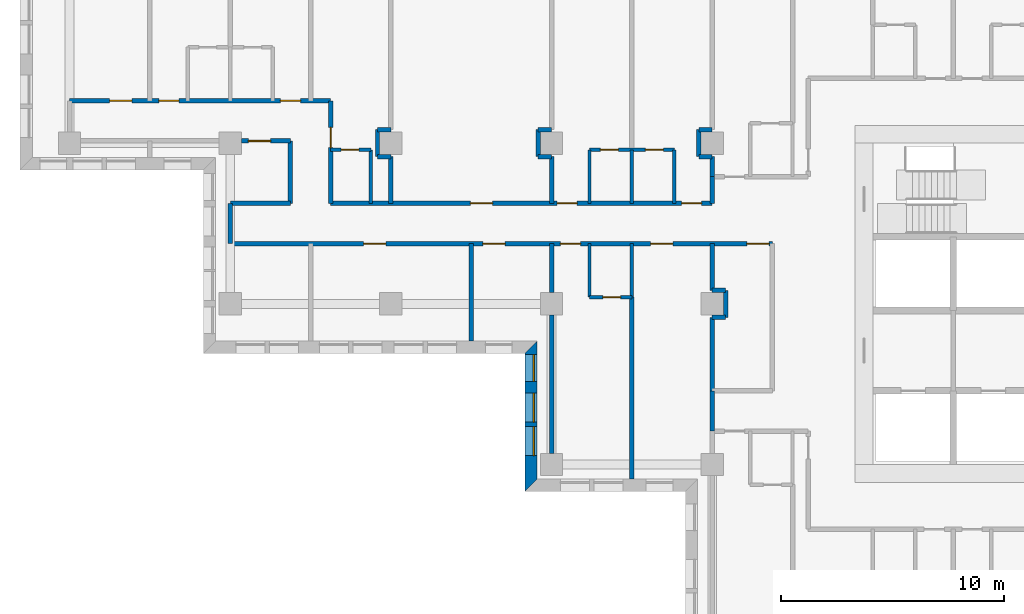
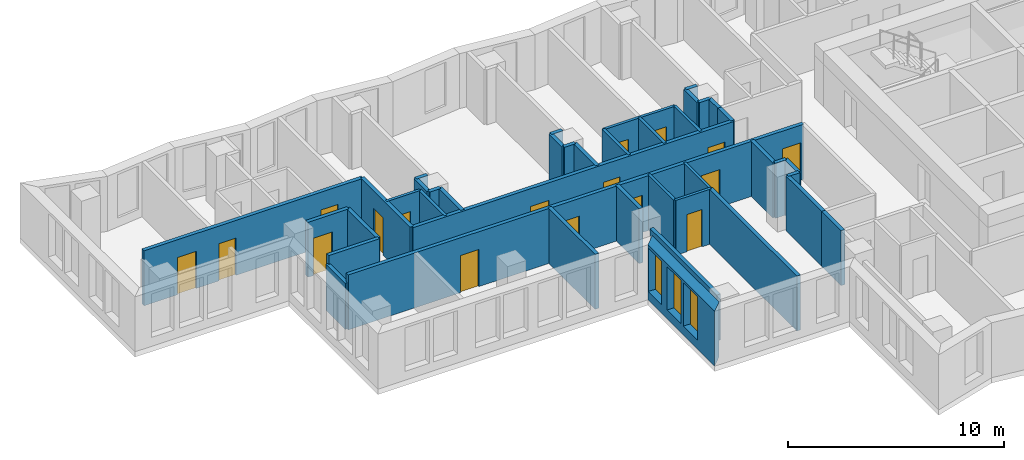
# One storey, part 4 of 13: 41 walls, 17 doors, 3 windows, 20 openings.
"""IFC4 building model written with IfcOpenShell, lengths in metres."""

from ifc_helpers import new_model, si_unit, direction, frame, frame_2d, origin, place, context, subcontext, project, spatial, polyline, rectangle, outline, extrude, material, layer, layer_set, type_object, element, fill, save


model = new_model("IFC4")

# Units and contexts
model_context = context("Model", 3, precision=1e-05, world=origin(), true_north=direction((0.0, 1.0)))
body_context = subcontext(model_context, "Body", "Model", "MODEL_VIEW")
ifc_project = project(units=[si_unit("LENGTHUNIT", "METRE"), si_unit("AREAUNIT", "SQUARE_METRE"), si_unit("VOLUMEUNIT", "CUBIC_METRE"), si_unit("PLANEANGLEUNIT", "RADIAN"), si_unit("MASSUNIT", "GRAM", prefix="KILO")], contexts=[model_context])

# Site, building, storey
site_placement = place(None, origin())
site = spatial("IfcSite", under=ifc_project, at=site_placement, CompositionType="ELEMENT")
building_placement = place(site_placement, origin())
building = spatial("IfcBuilding", under=site, at=building_placement, Name="Windrow Commons", CompositionType="ELEMENT")
storey_placement = place(building_placement, frame((0.0, 0.0, 94.8)))
storey = spatial("IfcBuildingStorey", under=building, at=storey_placement, Name="L25", CompositionType="ELEMENT", Elevation=94.8)

# Wall, openings, windows
ifc_material_1 = material(Name="Brick masonry, red clay brick", Category="masonry")
ifc_layer_1 = layer(ifc_material_1, 0.55)
ifc_layer_set_1 = layer_set([ifc_layer_1], Name="Brick facade wall 550")
wall_type_1 = type_object("IfcWallType", Name="Brick facade wall 550", PredefinedType="SOLIDWALL", material=ifc_layer_set_1)
wall_1_placement = place(storey_placement, frame((42.275, 55.654, 0.0), z_axis=(0.0, 0.0, 1.0), x_axis=(0.0, -1.0, 0.0)))
wall_1 = element("IfcWall", 1, at=wall_1_placement, inside=storey, type_object=wall_type_1, Name="Brick facade wall L25 41", PredefinedType="SOLIDWALL", context=body_context, shape_type="SweptSolid", body=[
    extrude(outline(polyline([(0.275, -0.275), (6.454, -0.275), (5.904, 0.275), (-0.275, 0.275), (0.275, -0.275)])), origin(), (0.0, 0.0, 1.0), 3.1),
])
opening_1_placement = place(wall_1_placement, frame((2.054, 0.0, 0.5)))
opening_1 = element("IfcOpeningElement", 2, at=opening_1_placement, cuts=wall_1, Name="Opening W1P", PredefinedType="OPENING", context=body_context, shape_type="SweptSolid", body=[
    extrude(rectangle(XDim=1.3, YDim=2.45, at=frame_2d((0.65, 1.225))), frame((0.0, 0.285, 0.0), z_axis=(0.0, -1.0, 0.0), x_axis=(1.0, 0.0, 0.0)), (0.0, 0.0, 1.0), 0.57),
])
opening_2_placement = place(wall_1_placement, frame((3.554, 0.0, 0.5)))
opening_2 = element("IfcOpeningElement", 3, at=opening_2_placement, cuts=wall_1, Name="Opening W1P", PredefinedType="OPENING", context=body_context, shape_type="SweptSolid", body=[
    extrude(rectangle(XDim=1.3, YDim=2.45, at=frame_2d((0.65, 1.225))), frame((0.0, 0.285, 0.0), z_axis=(0.0, -1.0, 0.0), x_axis=(1.0, 0.0, 0.0)), (0.0, 0.0, 1.0), 0.57),
])
opening_3_placement = place(wall_1_placement, frame((0.327, 0.0, 0.5)))
opening_3 = element("IfcOpeningElement", 4, at=opening_3_placement, cuts=wall_1, Name="Opening W7D", PredefinedType="OPENING", context=body_context, shape_type="SweptSolid", body=[
    extrude(rectangle(XDim=1.2, YDim=2.45, at=frame_2d((0.6, 1.225))), frame((0.0, 0.285, 0.0), z_axis=(0.0, -1.0, 0.0), x_axis=(1.0, 0.0, 0.0)), (0.0, 0.0, 1.0), 0.57),
])
ifc_material_2 = material(Name="Clear float glass in anodised aluminium frame", Category="aluminium")
window_type_1 = type_object("IfcWindowType", Name="Window W1P pair 1300x2450", PartitioningType="SINGLE_PANEL", PredefinedType="WINDOW", material=ifc_material_2)
window_1_placement = place(opening_1_placement, origin())
window_1 = element("IfcWindow", 5, at=window_1_placement, inside=storey, type_object=window_type_1, Name="Window L25 41.1A", OverallHeight=2.45, OverallWidth=1.3, PartitioningType="SINGLE_PANEL", PredefinedType="WINDOW", context=body_context, shape_type="SweptSolid", body=[
    extrude(rectangle(XDim=1.3, YDim=2.45, at=frame_2d((0.65, 1.225))), frame((0.0, 0.155, 0.0), z_axis=(0.0, -1.0, 0.0), x_axis=(1.0, 0.0, 0.0)), (0.0, 0.0, 1.0), 0.06),
])
fill(opening_1, window_1)
window_2_placement = place(opening_2_placement, origin())
window_2 = element("IfcWindow", 6, at=window_2_placement, inside=storey, type_object=window_type_1, Name="Window L25 41.1B", OverallHeight=2.45, OverallWidth=1.3, PartitioningType="SINGLE_PANEL", PredefinedType="WINDOW", context=body_context, shape_type="SweptSolid", body=[
    extrude(rectangle(XDim=1.3, YDim=2.45, at=frame_2d((0.65, 1.225))), frame((0.0, 0.155, 0.0), z_axis=(0.0, -1.0, 0.0), x_axis=(1.0, 0.0, 0.0)), (0.0, 0.0, 1.0), 0.06),
])
fill(opening_2, window_2)
ifc_material_3 = material(Name="Clear float glass in anodised aluminium frame", Category="aluminium")
window_type_2 = type_object("IfcWindowType", Name="Window W7 notch 1200x2450", PartitioningType="SINGLE_PANEL", PredefinedType="WINDOW", material=ifc_material_3)
window_3_placement = place(opening_3_placement, origin())
window_3 = element("IfcWindow", 7, at=window_3_placement, inside=storey, type_object=window_type_2, Name="Window L25 41.2", OverallHeight=2.45, OverallWidth=1.2, PartitioningType="SINGLE_PANEL", PredefinedType="WINDOW", context=body_context, shape_type="SweptSolid", body=[
    extrude(rectangle(XDim=1.2, YDim=2.45, at=frame_2d((0.6, 1.225))), frame((0.0, 0.155, 0.0), z_axis=(0.0, -1.0, 0.0), x_axis=(1.0, 0.0, 0.0)), (0.0, 0.0, 1.0), 0.06),
])
fill(opening_3, window_3)

# Wall, openings, doors
ifc_material_4 = material(Name="Blockwork partition", Category="masonry")
ifc_layer_2 = layer(ifc_material_4, 0.2)
ifc_layer_set_2 = layer_set([ifc_layer_2], Name="IW-CORRIDOR-200")
wall_type_2 = type_object("IfcWallType", Name="IW-CORRIDOR-200", PredefinedType="PARTITIONING", material=ifc_layer_set_2)
wall_2_placement = place(storey_placement, frame((28.802, 60.3, 0.0), z_axis=(0.0, 0.0, 1.0), x_axis=(1.0, 0.0, 0.0)))
wall_2 = element("IfcWall", 8, at=wall_2_placement, inside=storey, type_object=wall_type_2, Name="W-L25-W000", PredefinedType="PARTITIONING", context=body_context, shape_type="SweptSolid", body=[
    extrude(rectangle(XDim=24.298, YDim=0.2, at=frame_2d((12.149, 0.0))), origin(), (0.0, 0.0, 1.0), 3.1),
])
opening_4_placement = place(wall_2_placement, frame((5.9717, 0.0, 0.0)))
opening_4 = element("IfcOpeningElement", 9, at=opening_4_placement, cuts=wall_2, Name="Opening D310F", PredefinedType="OPENING", context=body_context, shape_type="SweptSolid", body=[
    extrude(rectangle(XDim=1.0, YDim=2.1, at=frame_2d((0.5, 1.05))), frame((0.0, 0.11, 0.0), z_axis=(0.0, -1.0, 0.0), x_axis=(1.0, 0.0, 0.0)), (0.0, 0.0, 1.0), 0.22),
])
opening_5_placement = place(wall_2_placement, frame((11.323, 0.0, 0.0)))
opening_5 = element("IfcOpeningElement", 10, at=opening_5_placement, cuts=wall_2, Name="Opening D310F", PredefinedType="OPENING", context=body_context, shape_type="SweptSolid", body=[
    extrude(rectangle(XDim=1.0, YDim=2.1, at=frame_2d((0.5, 1.05))), frame((0.0, 0.11, 0.0), z_axis=(0.0, -1.0, 0.0), x_axis=(1.0, 0.0, 0.0)), (0.0, 0.0, 1.0), 0.22),
])
opening_6_placement = place(wall_2_placement, frame((14.798, 0.0, 0.0)))
opening_6 = element("IfcOpeningElement", 11, at=opening_6_placement, cuts=wall_2, Name="Opening D109S", PredefinedType="OPENING", context=body_context, shape_type="SweptSolid", body=[
    extrude(rectangle(XDim=0.9, YDim=2.1, at=frame_2d((0.45, 1.05))), frame((0.0, 0.11, 0.0), z_axis=(0.0, -1.0, 0.0), x_axis=(1.0, 0.0, 0.0)), (0.0, 0.0, 1.0), 0.22),
])
opening_7_placement = place(wall_2_placement, frame((18.833, 0.0, 0.0)))
opening_7 = element("IfcOpeningElement", 12, at=opening_7_placement, cuts=wall_2, Name="Opening D310F", PredefinedType="OPENING", context=body_context, shape_type="SweptSolid", body=[
    extrude(rectangle(XDim=1.0, YDim=2.1, at=frame_2d((0.5, 1.05))), frame((0.0, 0.11, 0.0), z_axis=(0.0, -1.0, 0.0), x_axis=(1.0, 0.0, 0.0)), (0.0, 0.0, 1.0), 0.22),
])
opening_8_placement = place(wall_2_placement, frame((23.1515, 0.0, 0.0)))
opening_8 = element("IfcOpeningElement", 13, at=opening_8_placement, cuts=wall_2, Name="Opening D410F", PredefinedType="OPENING", context=body_context, shape_type="SweptSolid", body=[
    extrude(rectangle(XDim=1.0, YDim=2.1, at=frame_2d((0.5, 1.05))), frame((0.0, 0.11, 0.0), z_axis=(0.0, -1.0, 0.0), x_axis=(1.0, 0.0, 0.0)), (0.0, 0.0, 1.0), 0.22),
])
ifc_material_5 = material(Name="Timber door leaf", Category="wood")
door_type_1 = type_object("IfcDoorType", Name="DT-AMENITY-1000", OperationType="SINGLE_SWING_LEFT", PredefinedType="DOOR", material=ifc_material_5)
door_1_placement = place(opening_4_placement, origin())
door_1 = element("IfcDoor", 14, at=door_1_placement, inside=storey, type_object=door_type_1, Name="D-L25-D007", OperationType="SINGLE_SWING_RIGHT", OverallHeight=2.1, OverallWidth=1.0, PredefinedType="DOOR", context=body_context, shape_type="SweptSolid", body=[
    extrude(rectangle(XDim=1.0, YDim=2.1, at=frame_2d((0.5, 1.05))), frame((0.0, 0.025, 0.0), z_axis=(0.0, -1.0, 0.0), x_axis=(1.0, 0.0, 0.0)), (0.0, 0.0, 1.0), 0.05),
])
fill(opening_4, door_1)
door_2_placement = place(opening_5_placement, origin())
door_2 = element("IfcDoor", 15, at=door_2_placement, inside=storey, type_object=door_type_1, Name="D-L25-D015", OperationType="SINGLE_SWING_RIGHT", OverallHeight=2.1, OverallWidth=1.0, PredefinedType="DOOR", context=body_context, shape_type="SweptSolid", body=[
    extrude(rectangle(XDim=1.0, YDim=2.1, at=frame_2d((0.5, 1.05))), frame((0.0, 0.025, 0.0), z_axis=(0.0, -1.0, 0.0), x_axis=(1.0, 0.0, 0.0)), (0.0, 0.0, 1.0), 0.05),
])
fill(opening_5, door_2)
door_3_placement = place(opening_7_placement, origin())
door_3 = element("IfcDoor", 16, at=door_3_placement, inside=storey, type_object=door_type_1, Name="D-L25-D018", OperationType="SINGLE_SWING_RIGHT", OverallHeight=2.1, OverallWidth=1.0, PredefinedType="DOOR", context=body_context, shape_type="SweptSolid", body=[
    extrude(rectangle(XDim=1.0, YDim=2.1, at=frame_2d((0.5, 1.05))), frame((0.0, 0.025, 0.0), z_axis=(0.0, -1.0, 0.0), x_axis=(1.0, 0.0, 0.0)), (0.0, 0.0, 1.0), 0.05),
])
fill(opening_7, door_3)
ifc_material_6 = material(Name="Timber door leaf", Category="wood")
door_type_2 = type_object("IfcDoorType", Name="DT-BEDROOM-900", OperationType="SINGLE_SWING_LEFT", PredefinedType="DOOR", material=ifc_material_6)
door_4_placement = place(opening_6_placement, origin())
door_4 = element("IfcDoor", 17, at=door_4_placement, inside=storey, type_object=door_type_2, Name="D-L25-D016", OperationType="SINGLE_SWING_LEFT", OverallHeight=2.1, OverallWidth=0.9, PredefinedType="DOOR", context=body_context, shape_type="SweptSolid", body=[
    extrude(rectangle(XDim=0.9, YDim=2.1, at=frame_2d((0.45, 1.05))), frame((0.0, 0.025, 0.0), z_axis=(0.0, -1.0, 0.0), x_axis=(1.0, 0.0, 0.0)), (0.0, 0.0, 1.0), 0.05),
])
fill(opening_6, door_4)
ifc_material_7 = material(Name="Timber door leaf", Category="wood")
door_type_3 = type_object("IfcDoorType", Name="DT-SERVICE-1000", OperationType="SINGLE_SWING_LEFT", PredefinedType="DOOR", material=ifc_material_7)
door_5_placement = place(opening_8_placement, origin())
door_5 = element("IfcDoor", 18, at=door_5_placement, inside=storey, type_object=door_type_3, Name="D-L25-D025", OperationType="SINGLE_SWING_LEFT", OverallHeight=2.1, OverallWidth=1.0, PredefinedType="DOOR", context=body_context, shape_type="SweptSolid", body=[
    extrude(rectangle(XDim=1.0, YDim=2.1, at=frame_2d((0.5, 1.05))), frame((0.0, 0.025, 0.0), z_axis=(0.0, -1.0, 0.0), x_axis=(1.0, 0.0, 0.0)), (0.0, 0.0, 1.0), 0.05),
])
fill(opening_8, door_5)

wall_3_placement = place(storey_placement, frame((33.3, 62.1, 0.0), z_axis=(0.0, 0.0, 1.0), x_axis=(1.0, 0.0, 0.0)))
wall_3 = element("IfcWall", 19, at=wall_3_placement, inside=storey, type_object=wall_type_2, Name="W-L25-W004", PredefinedType="PARTITIONING", context=body_context, shape_type="SweptSolid", body=[
    extrude(rectangle(XDim=17.1, YDim=0.2, at=frame_2d((8.55, 0.0))), origin(), (0.0, 0.0, 1.0), 3.1),
])
opening_9_placement = place(wall_3_placement, frame((6.2575, 0.0, 0.0)))
opening_9 = element("IfcOpeningElement", 20, at=opening_9_placement, cuts=wall_3, Name="Opening D310F", PredefinedType="OPENING", context=body_context, shape_type="SweptSolid", body=[
    extrude(rectangle(XDim=1.0, YDim=2.1, at=frame_2d((0.5, 1.05))), frame((0.0, 0.11, 0.0), z_axis=(0.0, -1.0, 0.0), x_axis=(1.0, 0.0, 0.0)), (0.0, 0.0, 1.0), 0.22),
])
opening_10_placement = place(wall_3_placement, frame((10.1483, 0.0, 0.0)))
opening_10 = element("IfcOpeningElement", 21, at=opening_10_placement, cuts=wall_3, Name="Opening D109S", PredefinedType="OPENING", context=body_context, shape_type="SweptSolid", body=[
    extrude(rectangle(XDim=0.9, YDim=2.1, at=frame_2d((0.45, 1.05))), frame((0.0, 0.11, 0.0), z_axis=(0.0, -1.0, 0.0), x_axis=(1.0, 0.0, 0.0)), (0.0, 0.0, 1.0), 0.22),
])
opening_11_placement = place(wall_3_placement, frame((15.7289, 0.0, 0.0)))
opening_11 = element("IfcOpeningElement", 22, at=opening_11_placement, cuts=wall_3, Name="Opening D109S", PredefinedType="OPENING", context=body_context, shape_type="SweptSolid", body=[
    extrude(rectangle(XDim=0.9, YDim=2.1, at=frame_2d((0.45, 1.05))), frame((0.0, 0.11, 0.0), z_axis=(0.0, -1.0, 0.0), x_axis=(1.0, 0.0, 0.0)), (0.0, 0.0, 1.0), 0.22),
])
door_6_placement = place(opening_9_placement, origin())
door_6 = element("IfcDoor", 23, at=door_6_placement, inside=storey, type_object=door_type_1, Name="D-L25-D010", OperationType="SINGLE_SWING_RIGHT", OverallHeight=2.1, OverallWidth=1.0, PredefinedType="DOOR", context=body_context, shape_type="SweptSolid", body=[
    extrude(rectangle(XDim=1.0, YDim=2.1, at=frame_2d((0.5, 1.05))), frame((0.0, 0.025, 0.0), z_axis=(0.0, -1.0, 0.0), x_axis=(1.0, 0.0, 0.0)), (0.0, 0.0, 1.0), 0.05),
])
fill(opening_9, door_6)
door_7_placement = place(opening_10_placement, origin())
door_7 = element("IfcDoor", 24, at=door_7_placement, inside=storey, type_object=door_type_2, Name="D-L25-D011", OperationType="SINGLE_SWING_RIGHT", OverallHeight=2.1, OverallWidth=0.9, PredefinedType="DOOR", context=body_context, shape_type="SweptSolid", body=[
    extrude(rectangle(XDim=0.9, YDim=2.1, at=frame_2d((0.45, 1.05))), frame((0.0, 0.025, 0.0), z_axis=(0.0, -1.0, 0.0), x_axis=(1.0, 0.0, 0.0)), (0.0, 0.0, 1.0), 0.05),
])
fill(opening_10, door_7)
door_8_placement = place(opening_11_placement, origin())
door_8 = element("IfcDoor", 25, at=door_8_placement, inside=storey, type_object=door_type_2, Name="D-L25-D013", OperationType="SINGLE_SWING_LEFT", OverallHeight=2.1, OverallWidth=0.9, PredefinedType="DOOR", context=body_context, shape_type="SweptSolid", body=[
    extrude(rectangle(XDim=0.9, YDim=2.1, at=frame_2d((0.45, 1.05))), frame((0.0, 0.025, 0.0), z_axis=(0.0, -1.0, 0.0), x_axis=(1.0, 0.0, 0.0)), (0.0, 0.0, 1.0), 0.05),
])
fill(opening_11, door_8)

wall_4_placement = place(storey_placement, frame((21.602, 66.7, 0.0), z_axis=(0.0, 0.0, 1.0), x_axis=(1.0, 0.0, 0.0)))
wall_4 = element("IfcWall", 26, at=wall_4_placement, inside=storey, type_object=wall_type_2, Name="W-L25-W006", PredefinedType="PARTITIONING", context=body_context, shape_type="SweptSolid", body=[
    extrude(rectangle(XDim=11.698, YDim=0.2, at=frame_2d((5.849, 0.0))), origin(), (0.0, 0.0, 1.0), 3.1),
])
opening_12_placement = place(wall_4_placement, frame((1.7901, 0.0, 0.0)))
opening_12 = element("IfcOpeningElement", 27, at=opening_12_placement, cuts=wall_4, Name="Opening D310F", PredefinedType="OPENING", context=body_context, shape_type="SweptSolid", body=[
    extrude(rectangle(XDim=1.0, YDim=2.1, at=frame_2d((0.5, 1.05))), frame((0.0, 0.11, 0.0), z_axis=(0.0, -1.0, 0.0), x_axis=(1.0, 0.0, 0.0)), (0.0, 0.0, 1.0), 0.22),
])
opening_13_placement = place(wall_4_placement, frame((3.998, 0.0, 0.0)))
opening_13 = element("IfcOpeningElement", 28, at=opening_13_placement, cuts=wall_4, Name="Opening D109S", PredefinedType="OPENING", context=body_context, shape_type="SweptSolid", body=[
    extrude(rectangle(XDim=0.9, YDim=2.1, at=frame_2d((0.45, 1.05))), frame((0.0, 0.11, 0.0), z_axis=(0.0, -1.0, 0.0), x_axis=(1.0, 0.0, 0.0)), (0.0, 0.0, 1.0), 0.22),
])
opening_14_placement = place(wall_4_placement, frame((9.448, 0.0, 0.0)))
opening_14 = element("IfcOpeningElement", 29, at=opening_14_placement, cuts=wall_4, Name="Opening D109S", PredefinedType="OPENING", context=body_context, shape_type="SweptSolid", body=[
    extrude(rectangle(XDim=0.9, YDim=2.1, at=frame_2d((0.45, 1.05))), frame((0.0, 0.11, 0.0), z_axis=(0.0, -1.0, 0.0), x_axis=(1.0, 0.0, 0.0)), (0.0, 0.0, 1.0), 0.22),
])
door_9_placement = place(opening_12_placement, origin())
door_9 = element("IfcDoor", 30, at=door_9_placement, inside=storey, type_object=door_type_1, Name="D-L25-D001", OperationType="SINGLE_SWING_RIGHT", OverallHeight=2.1, OverallWidth=1.0, PredefinedType="DOOR", context=body_context, shape_type="SweptSolid", body=[
    extrude(rectangle(XDim=1.0, YDim=2.1, at=frame_2d((0.5, 1.05))), frame((0.0, 0.025, 0.0), z_axis=(0.0, -1.0, 0.0), x_axis=(1.0, 0.0, 0.0)), (0.0, 0.0, 1.0), 0.05),
])
fill(opening_12, door_9)
door_10_placement = place(opening_13_placement, origin())
door_10 = element("IfcDoor", 31, at=door_10_placement, inside=storey, type_object=door_type_2, Name="D-L25-D002", OperationType="SINGLE_SWING_LEFT", OverallHeight=2.1, OverallWidth=0.9, PredefinedType="DOOR", context=body_context, shape_type="SweptSolid", body=[
    extrude(rectangle(XDim=0.9, YDim=2.1, at=frame_2d((0.45, 1.05))), frame((0.0, 0.025, 0.0), z_axis=(0.0, -1.0, 0.0), x_axis=(1.0, 0.0, 0.0)), (0.0, 0.0, 1.0), 0.05),
])
fill(opening_13, door_10)
door_11_placement = place(opening_14_placement, origin())
door_11 = element("IfcDoor", 32, at=door_11_placement, inside=storey, type_object=door_type_2, Name="D-L25-D004", OperationType="SINGLE_SWING_RIGHT", OverallHeight=2.1, OverallWidth=0.9, PredefinedType="DOOR", context=body_context, shape_type="SweptSolid", body=[
    extrude(rectangle(XDim=0.9, YDim=2.1, at=frame_2d((0.45, 1.05))), frame((0.0, 0.025, 0.0), z_axis=(0.0, -1.0, 0.0), x_axis=(1.0, 0.0, 0.0)), (0.0, 0.0, 1.0), 0.05),
])
fill(opening_14, door_11)

# Wall, opening, door
wall_5_placement = place(storey_placement, frame((33.3, 62.102, 0.0), z_axis=(0.0, 0.0, 1.0), x_axis=(0.0, 1.0, 0.0)))
wall_5 = element("IfcWall", 33, at=wall_5_placement, inside=storey, type_object=wall_type_2, Name="W-L25-W045", PredefinedType="PARTITIONING", context=body_context, shape_type="SweptSolid", body=[
    extrude(rectangle(XDim=4.598, YDim=0.2, at=frame_2d((2.299, 0.0))), origin(), (0.0, 0.0, 1.0), 3.1),
])
opening_15_placement = place(wall_5_placement, frame((2.5013, 0.0, 0.0)))
opening_15 = element("IfcOpeningElement", 34, at=opening_15_placement, cuts=wall_5, Name="Opening D109S", PredefinedType="OPENING", context=body_context, shape_type="SweptSolid", body=[
    extrude(rectangle(XDim=0.9, YDim=2.1, at=frame_2d((0.45, 1.05))), frame((0.0, 0.11, 0.0), z_axis=(0.0, -1.0, 0.0), x_axis=(1.0, 0.0, 0.0)), (0.0, 0.0, 1.0), 0.22),
])
door_12_placement = place(opening_15_placement, origin())
door_12 = element("IfcDoor", 35, at=door_12_placement, inside=storey, type_object=door_type_2, Name="D-L25-D008", OperationType="SINGLE_SWING_LEFT", OverallHeight=2.1, OverallWidth=0.9, PredefinedType="DOOR", context=body_context, shape_type="SweptSolid", body=[
    extrude(rectangle(XDim=0.9, YDim=2.1, at=frame_2d((0.45, 1.05))), frame((0.0, 0.025, 0.0), z_axis=(0.0, -1.0, 0.0), x_axis=(1.0, 0.0, 0.0)), (0.0, 0.0, 1.0), 0.05),
])
fill(opening_15, door_12)

# Walls
wall_6_placement = place(storey_placement, frame((31.5, 62.102, 0.0), z_axis=(0.0, 0.0, 1.0), x_axis=(0.0, 1.0, 0.0)))
element("IfcWall", 36, at=wall_6_placement, inside=storey, type_object=wall_type_2, Name="W-L25-W063", PredefinedType="PARTITIONING", context=body_context, shape_type="SweptSolid", body=[
    extrude(rectangle(XDim=2.796, YDim=0.2, at=frame_2d((1.398, 0.0))), origin(), (0.0, 0.0, 1.0), 3.1),
])
wall_7_placement = place(storey_placement, frame((28.802, 62.1, 0.0), z_axis=(0.0, 0.0, 1.0), x_axis=(1.0, 0.0, 0.0)))
element("IfcWall", 37, at=wall_7_placement, inside=storey, type_object=wall_type_2, Name="W-L25-W067", PredefinedType="PARTITIONING", context=body_context, shape_type="SweptSolid", body=[
    extrude(rectangle(XDim=2.698, YDim=0.2, at=frame_2d((1.349, 0.0))), origin(), (0.0, 0.0, 1.0), 3.1),
])

# Wall, opening, door
wall_8_placement = place(storey_placement, frame((29.3, 64.9, 0.0), z_axis=(0.0, 0.0, 1.0), x_axis=(1.0, 0.0, 0.0)))
wall_8 = element("IfcWall", 38, at=wall_8_placement, inside=storey, type_object=wall_type_2, Name="W-L25-W116", PredefinedType="PARTITIONING", context=body_context, shape_type="SweptSolid", body=[
    extrude(rectangle(XDim=2.2, YDim=0.2, at=frame_2d((1.1, 0.0))), origin(), (0.0, 0.0, 1.0), 3.1),
])
opening_16_placement = place(wall_8_placement, frame((0.3098, 0.0, 0.0)))
opening_16 = element("IfcOpeningElement", 39, at=opening_16_placement, cuts=wall_8, Name="Opening D310F", PredefinedType="OPENING", context=body_context, shape_type="SweptSolid", body=[
    extrude(rectangle(XDim=1.0, YDim=2.1, at=frame_2d((0.5, 1.05))), frame((0.0, 0.11, 0.0), z_axis=(0.0, -1.0, 0.0), x_axis=(1.0, 0.0, 0.0)), (0.0, 0.0, 1.0), 0.22),
])
door_13_placement = place(opening_16_placement, origin())
door_13 = element("IfcDoor", 40, at=door_13_placement, inside=storey, type_object=door_type_1, Name="D-L25-D006", OperationType="SINGLE_SWING_RIGHT", OverallHeight=2.1, OverallWidth=1.0, PredefinedType="DOOR", context=body_context, shape_type="SweptSolid", body=[
    extrude(rectangle(XDim=1.0, YDim=2.1, at=frame_2d((0.5, 1.05))), frame((0.0, 0.025, 0.0), z_axis=(0.0, -1.0, 0.0), x_axis=(1.0, 0.0, 0.0)), (0.0, 0.0, 1.0), 0.05),
])
fill(opening_16, door_13)

# Walls
wall_9_placement = place(storey_placement, frame((50.4, 51.9, 0.0), z_axis=(0.0, 0.0, 1.0), x_axis=(0.0, 1.0, 0.0)))
element("IfcWall", 41, at=wall_9_placement, inside=storey, type_object=wall_type_2, Name="W-L25-W152", PredefinedType="PARTITIONING", context=body_context, shape_type="SweptSolid", body=[
    extrude(rectangle(XDim=1.8, YDim=0.2, at=frame_2d((0.9, 0.0))), origin(), (0.0, 0.0, 1.0), 3.1),
])
wall_10_placement = place(storey_placement, frame((28.8, 60.302, 0.0), z_axis=(0.0, 0.0, 1.0), x_axis=(0.0, 1.0, 0.0)))
element("IfcWall", 42, at=wall_10_placement, inside=storey, type_object=wall_type_2, Name="W-L25-W153", PredefinedType="PARTITIONING", context=body_context, shape_type="SweptSolid", body=[
    extrude(rectangle(XDim=1.798, YDim=0.2, at=frame_2d((0.899, 0.0))), origin(), (0.0, 0.0, 1.0), 2.6),
])
wall_11_placement = place(storey_placement, frame((50.4, 62.102, 0.0), z_axis=(0.0, 0.0, 1.0), x_axis=(0.0, 1.0, 0.0)))
element("IfcWall", 43, at=wall_11_placement, inside=storey, type_object=wall_type_2, Name="W-L25-W178", PredefinedType="PARTITIONING", context=body_context, shape_type="SweptSolid", body=[
    extrude(rectangle(XDim=1.198, YDim=0.2, at=frame_2d((0.599, 0.0))), origin(), (0.0, 0.0, 1.0), 3.1),
])

# Wall, openings, doors
ifc_material_8 = material(Name="Blockwork partition", Category="masonry")
ifc_layer_3 = layer(ifc_material_8, 0.15)
ifc_layer_set_3 = layer_set([ifc_layer_3], Name="IW-ENSUITE-150")
wall_type_3 = type_object("IfcWallType", Name="IW-ENSUITE-150", PredefinedType="PARTITIONING", material=ifc_layer_set_3)
wall_12_placement = place(storey_placement, frame((44.9, 64.5, 0.0), z_axis=(0.0, 0.0, 1.0), x_axis=(1.0, 0.0, 0.0)))
wall_12 = element("IfcWall", 44, at=wall_12_placement, inside=storey, type_object=wall_type_3, Name="W-L25-W054", PredefinedType="PARTITIONING", context=body_context, shape_type="SweptSolid", body=[
    extrude(rectangle(XDim=3.8, YDim=0.15, at=frame_2d((1.9, 0.0))), origin(), (0.0, 0.0, 1.0), 3.1),
])
opening_17_placement = place(wall_12_placement, frame((0.4931, 0.0, 0.0)))
opening_17 = element("IfcOpeningElement", 45, at=opening_17_placement, cuts=wall_12, Name="Opening D208N", PredefinedType="OPENING", context=body_context, shape_type="SweptSolid", body=[
    extrude(rectangle(XDim=0.8, YDim=2.1, at=frame_2d((0.4, 1.05))), frame((0.0, 0.085, 0.0), z_axis=(0.0, -1.0, 0.0), x_axis=(1.0, 0.0, 0.0)), (0.0, 0.0, 1.0), 0.17),
])
opening_18_placement = place(wall_12_placement, frame((2.5069, 0.0, 0.0)))
opening_18 = element("IfcOpeningElement", 46, at=opening_18_placement, cuts=wall_12, Name="Opening D208N", PredefinedType="OPENING", context=body_context, shape_type="SweptSolid", body=[
    extrude(rectangle(XDim=0.8, YDim=2.1, at=frame_2d((0.4, 1.05))), frame((0.0, 0.085, 0.0), z_axis=(0.0, -1.0, 0.0), x_axis=(1.0, 0.0, 0.0)), (0.0, 0.0, 1.0), 0.17),
])
ifc_material_9 = material(Name="Timber door leaf", Category="wood")
door_type_4 = type_object("IfcDoorType", Name="DT-ENSUITE-800", OperationType="SINGLE_SWING_LEFT", PredefinedType="DOOR", material=ifc_material_9)
door_14_placement = place(opening_17_placement, origin())
door_14 = element("IfcDoor", 47, at=door_14_placement, inside=storey, type_object=door_type_4, Name="D-L25-D012", OperationType="SINGLE_SWING_RIGHT", OverallHeight=2.1, OverallWidth=0.8, PredefinedType="DOOR", context=body_context, shape_type="SweptSolid", body=[
    extrude(rectangle(XDim=0.8, YDim=2.1, at=frame_2d((0.4, 1.05))), frame((0.0, 0.025, 0.0), z_axis=(0.0, -1.0, 0.0), x_axis=(1.0, 0.0, 0.0)), (0.0, 0.0, 1.0), 0.05),
])
fill(opening_17, door_14)
door_15_placement = place(opening_18_placement, origin())
door_15 = element("IfcDoor", 48, at=door_15_placement, inside=storey, type_object=door_type_4, Name="D-L25-D014", OperationType="SINGLE_SWING_RIGHT", OverallHeight=2.1, OverallWidth=0.8, PredefinedType="DOOR", context=body_context, shape_type="SweptSolid", body=[
    extrude(rectangle(XDim=0.8, YDim=2.1, at=frame_2d((0.4, 1.05))), frame((0.0, 0.025, 0.0), z_axis=(0.0, -1.0, 0.0), x_axis=(1.0, 0.0, 0.0)), (0.0, 0.0, 1.0), 0.05),
])
fill(opening_18, door_15)

# Walls
for number, where, z_axis, x_axis, name in (
    (49, (35.1, 62.1, 0.0), (0.0, 0.0, 1.0), (0.0, 1.0, 0.0), "W-L25-W077"),
    (50, (44.9, 57.9, 0.0), (0.0, 0.0, 1.0), (0.0, 1.0, 0.0), "W-L25-W078"),
    (51, (44.9, 62.1, 0.0), (0.0, 0.0, 1.0), (0.0, 1.0, 0.0), "W-L25-W079"),
    (52, (46.8, 57.9, 0.0), (0.0, 0.0, 1.0), (0.0, 1.0, 0.0), "W-L25-W080"),
    (53, (46.8, 62.1, 0.0), (0.0, 0.0, 1.0), (0.0, 1.0, 0.0), "W-L25-W081"),
    (54, (48.7, 62.1, 0.0), (0.0, 0.0, 1.0), (0.0, 1.0, 0.0), "W-L25-W082"),
):
    element("IfcWall", number, at=place(storey_placement, frame(where, z_axis=z_axis, x_axis=x_axis)), inside=storey, type_object=wall_type_3, Name=name, PredefinedType="PARTITIONING", context=body_context, shape_type="SweptSolid", body=[
        extrude(rectangle(XDim=2.4, YDim=0.15, at=frame_2d((1.2, 0.0))), origin(), (0.0, 0.0, 1.0), 3.1),
    ])

# Wall, opening, door
wall_13_placement = place(storey_placement, frame((44.9, 57.9, 0.0), z_axis=(0.0, 0.0, 1.0), x_axis=(1.0, 0.0, 0.0)))
wall_13 = element("IfcWall", 55, at=wall_13_placement, inside=storey, type_object=wall_type_3, Name="W-L25-W138", PredefinedType="PARTITIONING", context=body_context, shape_type="SweptSolid", body=[
    extrude(rectangle(XDim=1.9, YDim=0.15, at=frame_2d((0.95, 0.0))), origin(), (0.0, 0.0, 1.0), 3.1),
])
opening_19_placement = place(wall_13_placement, frame((0.5979, 0.0, 0.0)))
opening_19 = element("IfcOpeningElement", 56, at=opening_19_placement, cuts=wall_13, Name="Opening D208N", PredefinedType="OPENING", context=body_context, shape_type="SweptSolid", body=[
    extrude(rectangle(XDim=0.8, YDim=2.1, at=frame_2d((0.4, 1.05))), frame((0.0, 0.085, 0.0), z_axis=(0.0, -1.0, 0.0), x_axis=(1.0, 0.0, 0.0)), (0.0, 0.0, 1.0), 0.17),
])
door_16_placement = place(opening_19_placement, origin())
door_16 = element("IfcDoor", 57, at=door_16_placement, inside=storey, type_object=door_type_4, Name="D-L25-D017", OperationType="SINGLE_SWING_RIGHT", OverallHeight=2.1, OverallWidth=0.8, PredefinedType="DOOR", context=body_context, shape_type="SweptSolid", body=[
    extrude(rectangle(XDim=0.8, YDim=2.1, at=frame_2d((0.4, 1.05))), frame((0.0, 0.025, 0.0), z_axis=(0.0, -1.0, 0.0), x_axis=(1.0, 0.0, 0.0)), (0.0, 0.0, 1.0), 0.05),
])
fill(opening_19, door_16)

wall_14_placement = place(storey_placement, frame((33.3, 64.5, 0.0), z_axis=(0.0, 0.0, 1.0), x_axis=(1.0, 0.0, 0.0)))
wall_14 = element("IfcWall", 58, at=wall_14_placement, inside=storey, type_object=wall_type_3, Name="W-L25-W151", PredefinedType="PARTITIONING", context=body_context, shape_type="SweptSolid", body=[
    extrude(rectangle(XDim=1.8, YDim=0.15, at=frame_2d((0.9, 0.0))), origin(), (0.0, 0.0, 1.0), 3.1),
])
opening_20_placement = place(wall_14_placement, frame((0.4657, 0.0, 0.0)))
opening_20 = element("IfcOpeningElement", 59, at=opening_20_placement, cuts=wall_14, Name="Opening D208N", PredefinedType="OPENING", context=body_context, shape_type="SweptSolid", body=[
    extrude(rectangle(XDim=0.8, YDim=2.1, at=frame_2d((0.4, 1.05))), frame((0.0, 0.085, 0.0), z_axis=(0.0, -1.0, 0.0), x_axis=(1.0, 0.0, 0.0)), (0.0, 0.0, 1.0), 0.17),
])
door_17_placement = place(opening_20_placement, origin())
door_17 = element("IfcDoor", 60, at=door_17_placement, inside=storey, type_object=door_type_4, Name="D-L25-D009", OperationType="SINGLE_SWING_RIGHT", OverallHeight=2.1, OverallWidth=0.8, PredefinedType="DOOR", context=body_context, shape_type="SweptSolid", body=[
    extrude(rectangle(XDim=0.8, YDim=2.1, at=frame_2d((0.4, 1.05))), frame((0.0, 0.025, 0.0), z_axis=(0.0, -1.0, 0.0), x_axis=(1.0, 0.0, 0.0)), (0.0, 0.0, 1.0), 0.05),
])
fill(opening_20, door_17)

# Walls
ifc_material_10 = material(Name="Blockwork partition", Category="masonry")
ifc_layer_4 = layer(ifc_material_10, 0.2)
ifc_layer_set_4 = layer_set([ifc_layer_4], Name="IW-PARTY-200")
wall_type_4 = type_object("IfcWallType", Name="IW-PARTY-200", PredefinedType="PARTITIONING", material=ifc_layer_set_4)
wall_15_placement = place(storey_placement, frame((46.8, 49.75, 0.0), z_axis=(0.0, 0.0, 1.0), x_axis=(0.0, 1.0, 0.0)))
element("IfcWall", 61, at=wall_15_placement, inside=storey, type_object=wall_type_4, Name="W-L25-W017", PredefinedType="PARTITIONING", context=body_context, shape_type="SweptSolid", body=[
    extrude(rectangle(XDim=8.15, YDim=0.2, at=frame_2d((4.075, 0.0))), origin(), (0.0, 0.0, 1.0), 3.1),
])
wall_16_placement = place(storey_placement, frame((43.2, 50.9, 0.0), z_axis=(0.0, 0.0, 1.0), x_axis=(0.0, 1.0, 0.0)))
element("IfcWall", 62, at=wall_16_placement, inside=storey, type_object=wall_type_4, Name="W-L25-W026", PredefinedType="PARTITIONING", context=body_context, shape_type="SweptSolid", body=[
    extrude(rectangle(XDim=6.2, YDim=0.2, at=frame_2d((3.1, 0.0))), origin(), (0.0, 0.0, 1.0), 2.6),
])
wall_17_placement = place(storey_placement, frame((39.6, 55.929, 0.0), z_axis=(0.0, 0.0, 1.0), x_axis=(0.0, 1.0, 0.0)))
element("IfcWall", 63, at=wall_17_placement, inside=storey, type_object=wall_type_4, Name="W-L25-W050", PredefinedType="PARTITIONING", context=body_context, shape_type="SweptSolid", body=[
    extrude(rectangle(XDim=4.371, YDim=0.2, at=frame_2d((2.1855, 0.0))), origin(), (0.0, 0.0, 1.0), 3.1),
])
wall_18_placement = place(storey_placement, frame((50.4, 53.7, 0.0), z_axis=(0.0, 0.0, 1.0), x_axis=(0.0, 1.0, 0.0)))
element("IfcWall", 64, at=wall_18_placement, inside=storey, type_object=wall_type_4, Name="W-L25-W061", PredefinedType="PARTITIONING", context=body_context, shape_type="SweptSolid", body=[
    extrude(rectangle(XDim=3.296, YDim=0.2, at=frame_2d((1.648, 0.0))), origin(), (0.0, 0.0, 1.0), 3.1),
])
wall_19_placement = place(storey_placement, frame((43.2, 58.1, 0.0), z_axis=(0.0, 0.0, 1.0), x_axis=(0.0, 1.0, 0.0)))
element("IfcWall", 65, at=wall_19_placement, inside=storey, type_object=wall_type_4, Name="W-L25-W117", PredefinedType="PARTITIONING", context=body_context, shape_type="SweptSolid", body=[
    extrude(rectangle(XDim=2.2, YDim=0.2, at=frame_2d((1.1, 0.0))), origin(), (0.0, 0.0, 1.0), 3.1),
])
for number, where, z_axis, x_axis, name in (
    (66, (36.0, 62.1, 0.0), (0.0, 0.0, 1.0), (0.0, 1.0, 0.0), "W-L25-W121"),
    (67, (43.2, 62.1, 0.0), (0.0, 0.0, 1.0), (0.0, 1.0, 0.0), "W-L25-W122"),
):
    element("IfcWall", number, at=place(storey_placement, frame(where, z_axis=z_axis, x_axis=x_axis)), inside=storey, type_object=wall_type_4, Name=name, PredefinedType="PARTITIONING", context=body_context, shape_type="SweptSolid", body=[
        extrude(rectangle(XDim=2.096, YDim=0.2, at=frame_2d((1.048, 0.0))), origin(), (0.0, 0.0, 1.0), 3.1),
    ])
wall_20_placement = place(storey_placement, frame((50.4, 58.206, 0.0), z_axis=(0.0, 0.0, 1.0), x_axis=(0.0, 1.0, 0.0)))
element("IfcWall", 68, at=wall_20_placement, inside=storey, type_object=wall_type_4, Name="W-L25-W123", PredefinedType="PARTITIONING", context=body_context, shape_type="SweptSolid", body=[
    extrude(rectangle(XDim=2.094, YDim=0.2, at=frame_2d((1.047, 0.0))), origin(), (0.0, 0.0, 1.0), 3.1),
])
wall_21_placement = place(storey_placement, frame((51.0, 56.996, 0.0), z_axis=(0.0, 0.0, 1.0), x_axis=(0.0, 1.0, 0.0)))
element("IfcWall", 69, at=wall_21_placement, inside=storey, type_object=wall_type_4, Name="W-L25-W174", PredefinedType="PARTITIONING", context=body_context, shape_type="SweptSolid", body=[
    extrude(rectangle(XDim=1.21, YDim=0.2, at=frame_2d((0.605, 0.0))), origin(), (0.0, 0.0, 1.0), 3.1),
])
for number, where, z_axis, x_axis, name in (
    (70, (35.4, 64.196, 0.0), (0.0, 0.0, 1.0), (0.0, 1.0, 0.0), "W-L25-W175"),
    (71, (42.6, 64.196, 0.0), (0.0, 0.0, 1.0), (0.0, 1.0, 0.0), "W-L25-W176"),
    (72, (49.8, 64.196, 0.0), (0.0, 0.0, 1.0), (0.0, 1.0, 0.0), "W-L25-W177"),
):
    element("IfcWall", number, at=place(storey_placement, frame(where, z_axis=z_axis, x_axis=x_axis)), inside=storey, type_object=wall_type_4, Name=name, PredefinedType="PARTITIONING", context=body_context, shape_type="SweptSolid", body=[
        extrude(rectangle(XDim=1.208, YDim=0.2, at=frame_2d((0.604, 0.0))), origin(), (0.0, 0.0, 1.0), 3.1),
    ])
wall_22_placement = place(storey_placement, frame((50.4, 63.3, 0.0), z_axis=(0.0, 0.0, 1.0), x_axis=(0.0, 1.0, 0.0)))
element("IfcWall", 73, at=wall_22_placement, inside=storey, type_object=wall_type_4, Name="W-L25-W184", PredefinedType="PARTITIONING", context=body_context, shape_type="SweptSolid", body=[
    extrude(rectangle(XDim=0.896, YDim=0.2, at=frame_2d((0.448, 0.0))), origin(), (0.0, 0.0, 1.0), 3.1),
])
for number, where, z_axis, x_axis, name in (
    (74, (35.4, 65.4, 0.0), (0.0, 0.0, 1.0), (1.0, 0.0, 0.0), "W-L25-W195"),
    (75, (42.6, 65.4, 0.0), (0.0, 0.0, 1.0), (1.0, 0.0, 0.0), "W-L25-W196"),
    (76, (49.8, 65.4, 0.0), (0.0, 0.0, 1.0), (1.0, 0.0, 0.0), "W-L25-W197"),
    (77, (35.4, 64.2, 0.0), (0.0, 0.0, 1.0), (1.0, 0.0, 0.0), "W-L25-W198"),
    (78, (42.6, 64.2, 0.0), (0.0, 0.0, 1.0), (1.0, 0.0, 0.0), "W-L25-W199"),
    (79, (49.8, 64.2, 0.0), (0.0, 0.0, 1.0), (1.0, 0.0, 0.0), "W-L25-W200"),
    (80, (50.4, 58.21, 0.0), (0.0, 0.0, 1.0), (1.0, 0.0, 0.0), "W-L25-W201"),
    (81, (50.4, 57.0, 0.0), (0.0, 0.0, 1.0), (1.0, 0.0, 0.0), "W-L25-W202"),
):
    element("IfcWall", number, at=place(storey_placement, frame(where, z_axis=z_axis, x_axis=x_axis)), inside=storey, type_object=wall_type_4, Name=name, PredefinedType="PARTITIONING", context=body_context, shape_type="SweptSolid", body=[
        extrude(rectangle(XDim=0.6, YDim=0.2, at=frame_2d((0.3, 0.0))), origin(), (0.0, 0.0, 1.0), 3.1),
    ])

save(model, "model.ifc")
